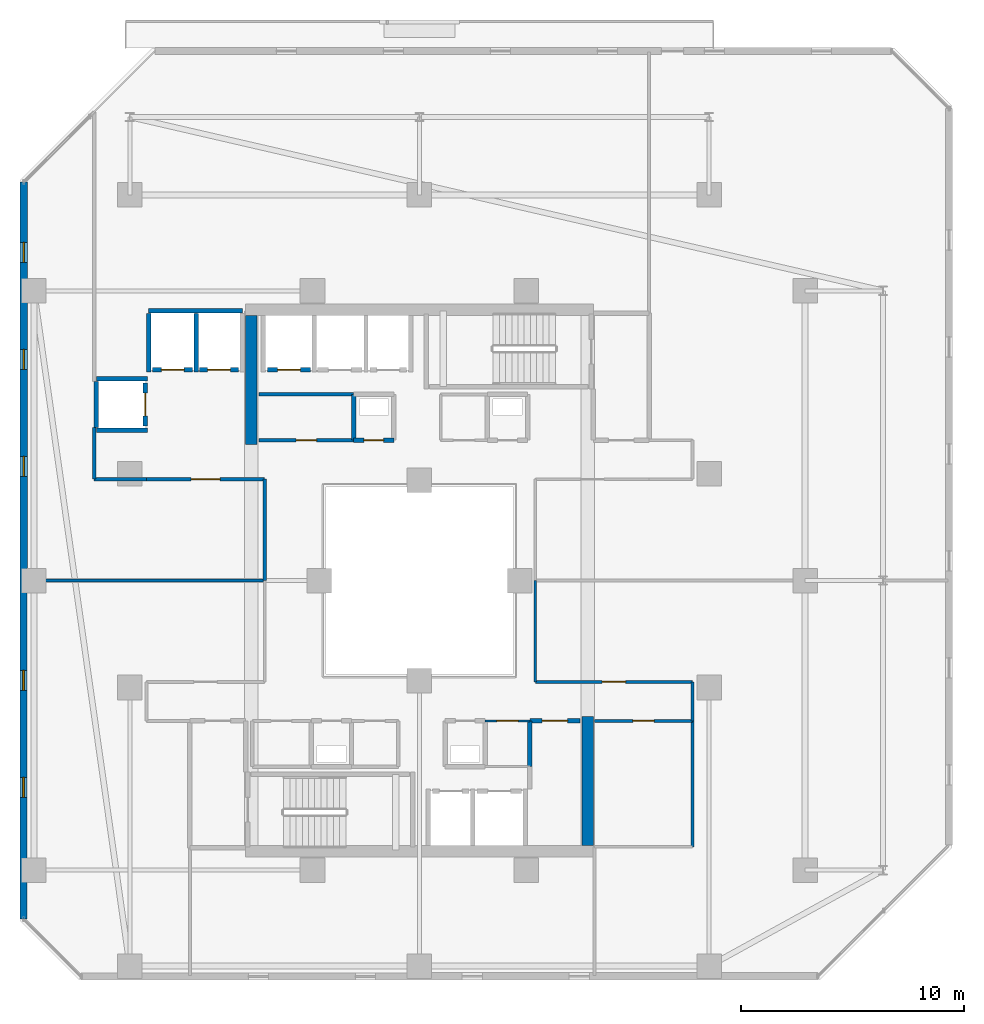
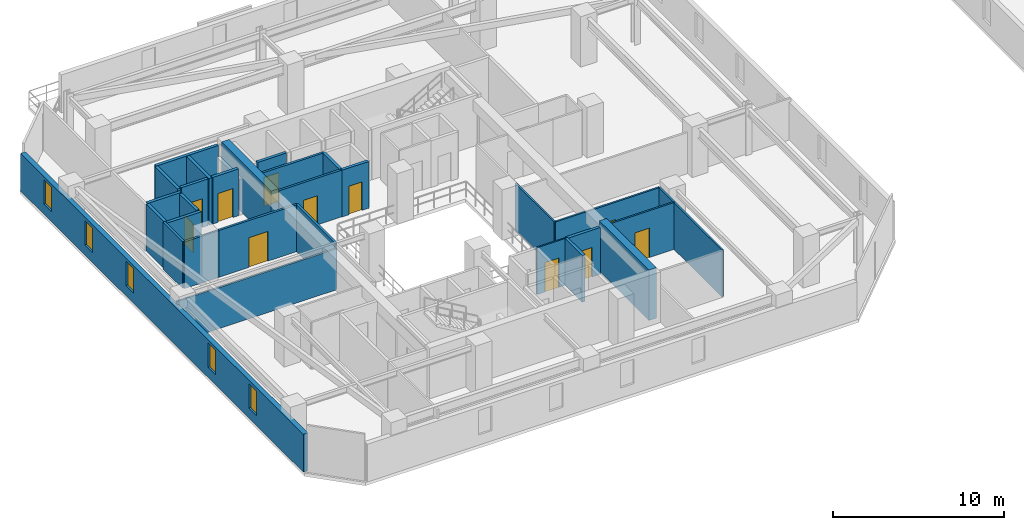
# One storey, part 20 of 32: 30 walls, 11 doors, 5 windows, 16 openings.
"""IFC4 building model written with IfcOpenShell, lengths in metres."""

from ifc_helpers import new_model, si_unit, direction, frame, frame_2d, origin, place, context, subcontext, project, spatial, rectangle, extrude, material, layer, layer_set, type_object, element, fill, save


model = new_model("IFC4")

# Units and contexts
model_context = context("Model", 3, precision=1e-05, world=origin(), true_north=direction((0.0, 1.0)))
body_context = subcontext(model_context, "Body", "Model", "MODEL_VIEW")
ifc_project = project(units=[si_unit("LENGTHUNIT", "METRE"), si_unit("AREAUNIT", "SQUARE_METRE"), si_unit("VOLUMEUNIT", "CUBIC_METRE"), si_unit("PLANEANGLEUNIT", "RADIAN"), si_unit("MASSUNIT", "GRAM", prefix="KILO")], contexts=[model_context])

# Site, building, storey
site_placement = place(None, origin())
site = spatial("IfcSite", under=ifc_project, at=site_placement, CompositionType="ELEMENT")
building_placement = place(site_placement, origin())
building = spatial("IfcBuilding", under=site, at=building_placement, Name="Thornwick Lancets Civic Towers", CompositionType="ELEMENT")
storey_placement = place(building_placement, frame((0.0, 0.0, 178.5)))
storey = spatial("IfcBuildingStorey", under=building, at=storey_placement, Name="L47", CompositionType="ELEMENT", Elevation=178.5)

# Wall, opening, door
ifc_material_1 = material(Name="Concrete blockwork C40/50", Category="masonry")
ifc_layer_1 = layer(ifc_material_1, 0.199951171875, Name="Concrete blockwork C40/50")
ifc_layer_set_1 = layer_set([ifc_layer_1], Name="Concrete blockwork C40/50")
wall_type_1 = type_object("IfcWallType", Name="WALL_COMP_200", PredefinedType="STANDARD", material=ifc_layer_set_1)
wall_1_placement = place(storey_placement, frame((20.6201171875, 36.449951171875, 0.0), z_axis=(0.0, 0.0, 1.0), x_axis=(-1.0, 0.0, 0.0)))
wall_1 = element("IfcWall", 1, at=wall_1_placement, inside=storey, type_object=wall_type_1, Name="L47 Hoistway Front Wall PL-AH3", PredefinedType="STANDARD", context=body_context, shape_type="SweptSolid", body=[
    extrude(rectangle(XDim=1.940185546875, YDim=0.199951171875, at=frame_2d((0.97021484375, 0.0))), origin(), (0.0, 0.0, 1.0), 3.340087890625),
])
opening_1_placement = place(wall_1_placement, frame((0.4599609375, 0.0, 0.0)))
opening_1 = element("IfcOpeningElement", 2, at=opening_1_placement, cuts=wall_1, Name="Opening LD-PL-AH3", PredefinedType="OPENING", context=body_context, shape_type="SweptSolid", body=[
    extrude(rectangle(XDim=1.02001953125, YDim=2.06005859375, at=frame_2d((0.510009765625, 1.030029296875))), frame((0.0, 0.10986328125, 0.0), z_axis=(0.0, -1.0, 0.0), x_axis=(1.0, 0.0, 0.0)), (0.0, 0.0, 1.0), 0.219970703125),
])
ifc_material_2 = material(Name="Brushed bronze stainless steel", Category="steel")
door_type_1 = type_object("IfcDoorType", Name="DOOR_LIFT_SLIDE", OperationType="SLIDING_TO_LEFT", PredefinedType="DOOR", material=ifc_material_2)
door_1_placement = place(opening_1_placement, origin())
door_1 = element("IfcDoor", 3, at=door_1_placement, inside=storey, type_object=door_type_1, Name="L47 Sliding Lift Landing Door LD-PL-AH3", OperationType="SLIDING_TO_LEFT", OverallHeight=2.06005859375, OverallWidth=1.02001953125, PredefinedType="DOOR", context=body_context, shape_type="SweptSolid", body=[
    extrude(rectangle(XDim=1.02001953125, YDim=2.06005859375, at=frame_2d((0.510009765625, 1.030029296875))), frame((0.0, 0.02490234375, 0.0), z_axis=(0.0, -1.0, 0.0), x_axis=(1.0, 0.0, 0.0)), (0.0, 0.0, 1.0), 0.050048828125),
])
fill(opening_1, door_1)

wall_2_placement = place(storey_placement, frame((17.3701171875, 36.449951171875, 0.0), z_axis=(0.0, 0.0, 1.0), x_axis=(-1.0, 0.0, 0.0)))
wall_2 = element("IfcWall", 4, at=wall_2_placement, inside=storey, type_object=wall_type_1, Name="L47 Hoistway Front Wall PL-AM1", PredefinedType="STANDARD", context=body_context, shape_type="SweptSolid", body=[
    extrude(rectangle(XDim=1.740234375, YDim=0.199951171875, at=frame_2d((0.8701171875, 0.0))), origin(), (0.0, 0.0, 1.0), 3.340087890625),
])
opening_2_placement = place(wall_2_placement, frame((0.360107421875, 0.0, 0.0)))
opening_2 = element("IfcOpeningElement", 5, at=opening_2_placement, cuts=wall_2, Name="Opening LD-PL-AM1", PredefinedType="OPENING", context=body_context, shape_type="SweptSolid", body=[
    extrude(rectangle(XDim=1.02001953125, YDim=2.06005859375, at=frame_2d((0.510009765625, 1.030029296875))), frame((0.0, 0.10986328125, 0.0), z_axis=(0.0, -1.0, 0.0), x_axis=(1.0, 0.0, 0.0)), (0.0, 0.0, 1.0), 0.219970703125),
])
door_2_placement = place(opening_2_placement, origin())
door_2 = element("IfcDoor", 6, at=door_2_placement, inside=storey, type_object=door_type_1, Name="L47 Sliding Lift Landing Door LD-PL-AM1", OperationType="SLIDING_TO_LEFT", OverallHeight=2.06005859375, OverallWidth=1.02001953125, PredefinedType="DOOR", context=body_context, shape_type="SweptSolid", body=[
    extrude(rectangle(XDim=1.02001953125, YDim=2.06005859375, at=frame_2d((0.510009765625, 1.030029296875))), frame((0.0, 0.02490234375, 0.0), z_axis=(0.0, -1.0, 0.0), x_axis=(1.0, 0.0, 0.0)), (0.0, 0.0, 1.0), 0.050048828125),
])
fill(opening_2, door_2)

wall_3_placement = place(storey_placement, frame((15.320068359375, 36.449951171875, 0.0), z_axis=(0.0, 0.0, 1.0), x_axis=(-1.0, 0.0, 0.0)))
wall_3 = element("IfcWall", 7, at=wall_3_placement, inside=storey, type_object=wall_type_1, Name="L47 Hoistway Front Wall PL-AM2", PredefinedType="STANDARD", context=body_context, shape_type="SweptSolid", body=[
    extrude(rectangle(XDim=1.7900390625, YDim=0.199951171875, at=frame_2d((0.89501953125, 0.0))), origin(), (0.0, 0.0, 1.0), 3.340087890625),
])
opening_3_placement = place(wall_3_placement, frame((0.385009765625, 0.0, 0.0)))
opening_3 = element("IfcOpeningElement", 8, at=opening_3_placement, cuts=wall_3, Name="Opening LD-PL-AM2", PredefinedType="OPENING", context=body_context, shape_type="SweptSolid", body=[
    extrude(rectangle(XDim=1.02001953125, YDim=2.06005859375, at=frame_2d((0.510009765625, 1.030029296875))), frame((0.0, 0.10986328125, 0.0), z_axis=(0.0, -1.0, 0.0), x_axis=(1.0, 0.0, 0.0)), (0.0, 0.0, 1.0), 0.219970703125),
])
door_3_placement = place(opening_3_placement, origin())
door_3 = element("IfcDoor", 9, at=door_3_placement, inside=storey, type_object=door_type_1, Name="L47 Sliding Lift Landing Door LD-PL-AM2", OperationType="SLIDING_TO_LEFT", OverallHeight=2.06005859375, OverallWidth=1.02001953125, PredefinedType="DOOR", context=body_context, shape_type="SweptSolid", body=[
    extrude(rectangle(XDim=1.02001953125, YDim=2.06005859375, at=frame_2d((0.510009765625, 1.030029296875))), frame((0.0, 0.02490234375, 0.0), z_axis=(0.0, -1.0, 0.0), x_axis=(1.0, 0.0, 0.0)), (0.0, 0.0, 1.0), 0.050048828125),
])
fill(opening_3, door_3)

wall_4_placement = place(storey_placement, frame((13.199951171875, 33.929931640625, 0.0), z_axis=(0.0, 0.0, 1.0), x_axis=(0.0, 1.0, 0.0)))
wall_4 = element("IfcWall", 10, at=wall_4_placement, inside=storey, type_object=wall_type_1, Name="L47 Hoistway Front Wall PL-AM3", PredefinedType="STANDARD", context=body_context, shape_type="SweptSolid", body=[
    extrude(rectangle(XDim=1.940185546875, YDim=0.199951171875, at=frame_2d((0.97021484375, 0.0))), origin(), (0.0, 0.0, 1.0), 3.340087890625),
])
opening_4_placement = place(wall_4_placement, frame((0.4599609375, 0.0, 0.0)))
opening_4 = element("IfcOpeningElement", 11, at=opening_4_placement, cuts=wall_4, Name="Opening LD-PL-AM3", PredefinedType="OPENING", context=body_context, shape_type="SweptSolid", body=[
    extrude(rectangle(XDim=1.02001953125, YDim=2.06005859375, at=frame_2d((0.510009765625, 1.030029296875))), frame((0.0, 0.10986328125, 0.0), z_axis=(0.0, -1.0, 0.0), x_axis=(1.0, 0.0, 0.0)), (0.0, 0.0, 1.0), 0.219970703125),
])
door_4_placement = place(opening_4_placement, origin())
door_4 = element("IfcDoor", 12, at=door_4_placement, inside=storey, type_object=door_type_1, Name="L47 Sliding Lift Landing Door LD-PL-AM3", OperationType="SLIDING_TO_LEFT", OverallHeight=2.06005859375, OverallWidth=1.02001953125, PredefinedType="DOOR", context=body_context, shape_type="SweptSolid", body=[
    extrude(rectangle(XDim=1.02001953125, YDim=2.06005859375, at=frame_2d((0.510009765625, 1.030029296875))), frame((0.0, 0.02490234375, 0.0), z_axis=(0.0, -1.0, 0.0), x_axis=(1.0, 0.0, 0.0)), (0.0, 0.0, 1.0), 0.050048828125),
])
fill(opening_4, door_4)

# Walls
wall_5_placement = place(storey_placement, frame((13.35205078125, 39.10009765625, 0.0), z_axis=(0.0, 0.0, 1.0), x_axis=(1.0, 0.0, 0.0)))
element("IfcWall", 13, at=wall_5_placement, inside=storey, type_object=wall_type_1, Name="L47 Hoistway Shaft Wall PL-AM1 N", PredefinedType="STANDARD", context=body_context, shape_type="SweptSolid", body=[
    extrude(rectangle(XDim=4.196044921875, YDim=0.199951171875, at=frame_2d((2.09814453125, 0.0))), origin(), (0.0, 0.0, 1.0), 3.340087890625),
])
for number, where, z_axis, x_axis, name in (
    (14, (15.47509765625, 36.35205078125, 0.0), (0.0, 0.0, 1.0), (0.0, 1.0, 0.0), "L47 Hoistway Shaft Wall PL-AM1 W"),
    (15, (13.35009765625, 36.35205078125, 0.0), (0.0, 0.0, 1.0), (0.0, 1.0, 0.0), "L47 Hoistway Shaft Wall PL-AM2 W"),
):
    element("IfcWall", number, at=place(storey_placement, frame(where, z_axis=z_axis, x_axis=x_axis)), inside=storey, type_object=wall_type_1, Name=name, PredefinedType="STANDARD", context=body_context, shape_type="SweptSolid", body=[
        extrude(rectangle(XDim=2.635986328125, YDim=0.199951171875, at=frame_2d((1.31787109375, 0.0))), origin(), (0.0, 0.0, 1.0), 3.340087890625),
    ])
for number, where, z_axis, x_axis, name in (
    (16, (11.001953125, 36.050048828125, 0.0), (0.0, 0.0, 1.0), (1.0, 0.0, 0.0), "L47 Hoistway Shaft Wall PL-AM3 N"),
    (17, (11.001953125, 33.75, 0.0), (0.0, 0.0, 1.0), (1.0, 0.0, 0.0), "L47 Hoistway Shaft Wall PL-AM3 S"),
):
    element("IfcWall", number, at=place(storey_placement, frame(where, z_axis=z_axis, x_axis=x_axis)), inside=storey, type_object=wall_type_1, Name=name, PredefinedType="STANDARD", context=body_context, shape_type="SweptSolid", body=[
        extrude(rectangle(XDim=2.296142578125, YDim=0.199951171875, at=frame_2d((1.14794921875, 0.0))), origin(), (0.0, 0.0, 1.0), 3.340087890625),
    ])
wall_6_placement = place(storey_placement, frame((11.0, 33.862060546875, 0.0), z_axis=(0.0, 0.0, 1.0), x_axis=(0.0, 1.0, 0.0)))
element("IfcWall", 18, at=wall_6_placement, inside=storey, type_object=wall_type_1, Name="L47 Hoistway Shaft Wall PL-AM3 W", PredefinedType="STANDARD", context=body_context, shape_type="SweptSolid", body=[
    extrude(rectangle(XDim=2.075927734375, YDim=0.199951171875, at=frame_2d((1.0380859375, 0.0))), origin(), (0.0, 0.0, 1.0), 3.340087890625),
])

# Wall, opening, door
wall_7_placement = place(storey_placement, frame((22.550048828125, 33.300048828125, 0.0), z_axis=(0.0, 0.0, 1.0), x_axis=(1.0, 0.0, 0.0)))
wall_7 = element("IfcWall", 19, at=wall_7_placement, inside=storey, type_object=wall_type_1, Name="L47 Partition L47-A-DUCT2 E1", PredefinedType="STANDARD", context=body_context, shape_type="SweptSolid", body=[
    extrude(rectangle(XDim=1.800048828125, YDim=0.199951171875, at=frame_2d((0.89990234375, 0.0))), origin(), (0.0, 0.0, 1.0), 3.340087890625),
])
opening_5_placement = place(wall_7_placement, frame((0.4599609375, 0.0, 0.0)))
opening_5 = element("IfcOpeningElement", 20, at=opening_5_placement, cuts=wall_7, Name="Opening D-L47-2091", PredefinedType="OPENING", context=body_context, shape_type="SweptSolid", body=[
    extrude(rectangle(XDim=0.8798828125, YDim=2.0400390625, at=frame_2d((0.43994140625, 1.02001953125))), frame((0.0, 0.10986328125, 0.0), z_axis=(0.0, -1.0, 0.0), x_axis=(1.0, 0.0, 0.0)), (0.0, 0.0, 1.0), 0.219970703125),
])
ifc_material_3 = material(Name="Steel riser access doorset", Category="steel")
door_type_2 = type_object("IfcDoorType", Name="DOOR_RISER_850", OperationType="NOTDEFINED", PredefinedType="DOOR", material=ifc_material_3)
door_5_placement = place(opening_5_placement, origin())
door_5 = element("IfcDoor", 21, at=door_5_placement, inside=storey, type_object=door_type_2, Name="L47 North Service Duct 2 Door", OperationType="SINGLE_SWING_RIGHT", OverallHeight=2.0400390625, OverallWidth=0.8798828125, PredefinedType="DOOR", context=body_context, shape_type="SweptSolid", body=[
    extrude(rectangle(XDim=0.8798828125, YDim=2.0400390625, at=frame_2d((0.43994140625, 1.02001953125))), frame((0.0, 0.02490234375, 0.0), z_axis=(0.0, -1.0, 0.0), x_axis=(1.0, 0.0, 0.0)), (0.0, 0.0, 1.0), 0.050048828125),
])
fill(opening_5, door_5)

# Walls
for number, where, z_axis, x_axis, name in (
    (22, (22.550048828125, 35.35009765625, 0.0), (0.0, 0.0, 1.0), (0.0, -1.0, 0.0), "L47 Partition L47-A-DUCT2 E4"),
    (23, (30.449951171875, 18.64990234375, 0.0), (0.0, 0.0, 1.0), (0.0, 1.0, 0.0), "L47 Partition L47-A-ITR2 E4"),
):
    element("IfcWall", number, at=place(storey_placement, frame(where, z_axis=z_axis, x_axis=x_axis)), inside=storey, type_object=wall_type_1, Name=name, PredefinedType="STANDARD", context=body_context, shape_type="SweptSolid", body=[
        extrude(rectangle(XDim=2.050048828125, YDim=0.199951171875, at=frame_2d((1.02490234375, 0.0))), origin(), (0.0, 0.0, 1.0), 3.340087890625),
    ])

# Wall, opening, door
wall_8_placement = place(storey_placement, frame((30.449951171875, 20.699951171875, 0.0), z_axis=(0.0, 0.0, 1.0), x_axis=(1.0, 0.0, 0.0)))
wall_8 = element("IfcWall", 24, at=wall_8_placement, inside=storey, type_object=wall_type_1, Name="L47 Partition L47-A-ITR2 E5", PredefinedType="STANDARD", context=body_context, shape_type="SweptSolid", body=[
    extrude(rectangle(XDim=2.25, YDim=0.199951171875, at=frame_2d((1.125, 0.0))), origin(), (0.0, 0.0, 1.0), 3.340087890625),
])
opening_6_placement = place(wall_8_placement, frame((0.550048828125, 0.0, 0.0)))
opening_6 = element("IfcOpeningElement", 25, at=opening_6_placement, cuts=wall_8, Name="Opening D-L47-2096", PredefinedType="OPENING", context=body_context, shape_type="SweptSolid", body=[
    extrude(rectangle(XDim=1.14990234375, YDim=2.10009765625, at=frame_2d((0.574951171875, 1.050048828125))), frame((0.0, 0.10986328125, 0.0), z_axis=(0.0, -1.0, 0.0), x_axis=(1.0, 0.0, 0.0)), (0.0, 0.0, 1.0), 0.219970703125),
])
ifc_material_4 = material(Name="Glazed fire-resisting steel", Category="steel")
door_type_3 = type_object("IfcDoorType", Name="DOOR_LOBBY_FD60", OperationType="NOTDEFINED", PredefinedType="DOOR", material=ifc_material_4)
door_6_placement = place(opening_6_placement, origin())
door_6 = element("IfcDoor", 26, at=door_6_placement, inside=storey, type_object=door_type_3, Name="L47 Tower A Statutory Core Archive Door", OperationType="SINGLE_SWING_LEFT", OverallHeight=2.10009765625, OverallWidth=1.14990234375, PredefinedType="DOOR", context=body_context, shape_type="SweptSolid", body=[
    extrude(rectangle(XDim=1.14990234375, YDim=2.10009765625, at=frame_2d((0.574951171875, 1.050048828125))), frame((0.0, 0.02490234375, 0.0), z_axis=(0.0, -1.0, 0.0), x_axis=(1.0, 0.0, 0.0)), (0.0, 0.0, 1.0), 0.050048828125),
])
fill(opening_6, door_6)

# Walls
ifc_material_5 = material(Name="Concrete C50/60", Category="concrete")
ifc_layer_2 = layer(ifc_material_5, 0.5, Name="Concrete C50/60")
ifc_layer_set_2 = layer_set([ifc_layer_2], Name="Concrete C50/60")
wall_type_2 = type_object("IfcWallType", Name="WALL_CORE_500", PredefinedType="SHEAR", material=ifc_layer_set_2)
for number, where, z_axis, x_axis, name in (
    (27, (33.050048828125, 15.10009765625, 0.0), (0.0, 0.0, 1.0), (0.0, 1.0, 0.0), "L47 Split Core A1 Shear Wall E"),
    (28, (17.949951171875, 33.10009765625, 0.0), (0.0, 0.0, 1.0), (0.0, 1.0, 0.0), "L47 Split Core A2 Shear Wall W"),
):
    element("IfcWall", number, at=place(storey_placement, frame(where, z_axis=z_axis, x_axis=x_axis)), inside=storey, type_object=wall_type_2, Name=name, PredefinedType="SHEAR", context=body_context, shape_type="SweptSolid", body=[
        extrude(rectangle(XDim=5.7998046875, YDim=0.5, at=frame_2d((2.89990234375, 0.0))), origin(), (0.0, 0.0, 1.0), 3.60009765625),
    ])

# Wall, openings, windows
ifc_material_6 = material(Name="Insulated buff terracotta rainscreen on concrete C40/50", Category="masonry")
ifc_layer_3 = layer(ifc_material_6, 0.320068359375, Name="Insulated buff terracotta rainscreen on concrete C40/50")
ifc_layer_set_3 = layer_set([ifc_layer_3], Name="Insulated buff terracotta rainscreen on concrete C40/50")
wall_type_3 = type_object("IfcWallType", Name="WALL_EXT_TERRA_320", PredefinedType="STANDARD", material=ifc_layer_set_3)
wall_9_placement = place(storey_placement, frame((7.746337890625, 44.872314453125, 0.0), z_axis=(0.0, 0.0, 1.0), x_axis=(-0.000332378036, -0.999999944762, 0.0)))
wall_9 = element("IfcWall", 29, at=wall_9_placement, inside=storey, type_object=wall_type_3, Name="L47 Tower A Terracotta Facade Wall E6", PredefinedType="STANDARD", context=body_context, shape_type="SweptSolid", body=[
    extrude(rectangle(XDim=33.0537109375, YDim=0.320068359375, at=frame_2d((16.52685546875, 0.0))), origin(), (0.0, 0.0, 1.0), 2.699951171875),
])
opening_7_placement = place(wall_9_placement, frame((2.699951171875, 0.0, 0.719970703125)))
opening_7 = element("IfcOpeningElement", 30, at=opening_7_placement, cuts=wall_9, Name="Opening WL-01", PredefinedType="OPENING", context=body_context, shape_type="SweptSolid", body=[
    extrude(rectangle(XDim=0.89990234375, YDim=1.75, at=frame_2d((0.449951171875, 0.875))), frame((0.0, 0.169921875, 0.0), z_axis=(0.0, -1.0, 0.0), x_axis=(1.0, 0.0, 0.0)), (0.0, 0.0, 1.0), 0.340087890625),
])
opening_8_placement = place(wall_9_placement, frame((7.5, 0.0, 0.719970703125)))
opening_8 = element("IfcOpeningElement", 31, at=opening_8_placement, cuts=wall_9, Name="Opening WL-01", PredefinedType="OPENING", context=body_context, shape_type="SweptSolid", body=[
    extrude(rectangle(XDim=0.89990234375, YDim=1.75, at=frame_2d((0.449951171875, 0.875))), frame((0.0, 0.169921875, 0.0), z_axis=(0.0, -1.0, 0.0), x_axis=(1.0, 0.0, 0.0)), (0.0, 0.0, 1.0), 0.340087890625),
])
opening_9_placement = place(wall_9_placement, frame((12.300048828125, 0.0, 0.719970703125)))
opening_9 = element("IfcOpeningElement", 32, at=opening_9_placement, cuts=wall_9, Name="Opening WL-01", PredefinedType="OPENING", context=body_context, shape_type="SweptSolid", body=[
    extrude(rectangle(XDim=0.89990234375, YDim=1.75, at=frame_2d((0.449951171875, 0.875))), frame((0.0, 0.169921875, 0.0), z_axis=(0.0, -1.0, 0.0), x_axis=(1.0, 0.0, 0.0)), (0.0, 0.0, 1.0), 0.340087890625),
])
opening_10_placement = place(wall_9_placement, frame((21.89990234375, 0.0, 0.719970703125)))
opening_10 = element("IfcOpeningElement", 33, at=opening_10_placement, cuts=wall_9, Name="Opening WL-01", PredefinedType="OPENING", context=body_context, shape_type="SweptSolid", body=[
    extrude(rectangle(XDim=0.89990234375, YDim=1.75, at=frame_2d((0.449951171875, 0.875))), frame((0.0, 0.169921875, 0.0), z_axis=(0.0, -1.0, 0.0), x_axis=(1.0, 0.0, 0.0)), (0.0, 0.0, 1.0), 0.340087890625),
])
opening_11_placement = place(wall_9_placement, frame((26.699951171875, 0.0, 0.719970703125)))
opening_11 = element("IfcOpeningElement", 34, at=opening_11_placement, cuts=wall_9, Name="Opening WL-01", PredefinedType="OPENING", context=body_context, shape_type="SweptSolid", body=[
    extrude(rectangle(XDim=0.89990234375, YDim=1.75, at=frame_2d((0.449951171875, 0.875))), frame((0.0, 0.169921875, 0.0), z_axis=(0.0, -1.0, 0.0), x_axis=(1.0, 0.0, 0.0)), (0.0, 0.0, 1.0), 0.340087890625),
])
ifc_material_7 = material(Name="Clear low-e double glazing in bronze frame", Category="glass")
window_type = type_object("IfcWindowType", Name="WIN_LANCET_900", PartitioningType="SINGLE_PANEL", PredefinedType="WINDOW", material=ifc_material_7)
window_1_placement = place(opening_7_placement, origin())
window_1 = element("IfcWindow", 35, at=window_1_placement, inside=storey, type_object=window_type, Name="L47 Tower A Staggered Lancet Window E6-1", OverallHeight=1.75, OverallWidth=0.89990234375, PartitioningType="SINGLE_PANEL", PredefinedType="WINDOW", context=body_context, shape_type="SweptSolid", body=[
    extrude(rectangle(XDim=0.89990234375, YDim=1.75, at=frame_2d((0.449951171875, 0.875))), frame((0.0, 0.030029296875, 0.0), z_axis=(0.0, -1.0, 0.0), x_axis=(1.0, 0.0, 0.0)), (0.0, 0.0, 1.0), 0.06005859375),
])
fill(opening_7, window_1)
window_2_placement = place(opening_8_placement, origin())
window_2 = element("IfcWindow", 36, at=window_2_placement, inside=storey, type_object=window_type, Name="L47 Tower A Staggered Lancet Window E6-2", OverallHeight=1.75, OverallWidth=0.89990234375, PartitioningType="SINGLE_PANEL", PredefinedType="WINDOW", context=body_context, shape_type="SweptSolid", body=[
    extrude(rectangle(XDim=0.89990234375, YDim=1.75, at=frame_2d((0.449951171875, 0.875))), frame((0.0, 0.030029296875, 0.0), z_axis=(0.0, -1.0, 0.0), x_axis=(1.0, 0.0, 0.0)), (0.0, 0.0, 1.0), 0.06005859375),
])
fill(opening_8, window_2)
window_3_placement = place(opening_9_placement, origin())
window_3 = element("IfcWindow", 37, at=window_3_placement, inside=storey, type_object=window_type, Name="L47 Tower A Staggered Lancet Window E6-3", OverallHeight=1.75, OverallWidth=0.89990234375, PartitioningType="SINGLE_PANEL", PredefinedType="WINDOW", context=body_context, shape_type="SweptSolid", body=[
    extrude(rectangle(XDim=0.89990234375, YDim=1.75, at=frame_2d((0.449951171875, 0.875))), frame((0.0, 0.030029296875, 0.0), z_axis=(0.0, -1.0, 0.0), x_axis=(1.0, 0.0, 0.0)), (0.0, 0.0, 1.0), 0.06005859375),
])
fill(opening_9, window_3)
window_4_placement = place(opening_10_placement, origin())
window_4 = element("IfcWindow", 38, at=window_4_placement, inside=storey, type_object=window_type, Name="L47 Tower A Staggered Lancet Window E6-4", OverallHeight=1.75, OverallWidth=0.89990234375, PartitioningType="SINGLE_PANEL", PredefinedType="WINDOW", context=body_context, shape_type="SweptSolid", body=[
    extrude(rectangle(XDim=0.89990234375, YDim=1.75, at=frame_2d((0.449951171875, 0.875))), frame((0.0, 0.030029296875, 0.0), z_axis=(0.0, -1.0, 0.0), x_axis=(1.0, 0.0, 0.0)), (0.0, 0.0, 1.0), 0.06005859375),
])
fill(opening_10, window_4)
window_5_placement = place(opening_11_placement, origin())
window_5 = element("IfcWindow", 39, at=window_5_placement, inside=storey, type_object=window_type, Name="L47 Tower A Staggered Lancet Window E6-5", OverallHeight=1.75, OverallWidth=0.89990234375, PartitioningType="SINGLE_PANEL", PredefinedType="WINDOW", context=body_context, shape_type="SweptSolid", body=[
    extrude(rectangle(XDim=0.89990234375, YDim=1.75, at=frame_2d((0.449951171875, 0.875))), frame((0.0, 0.030029296875, 0.0), z_axis=(0.0, -1.0, 0.0), x_axis=(1.0, 0.0, 0.0)), (0.0, 0.0, 1.0), 0.06005859375),
])
fill(opening_11, window_5)

# Wall, opening, door
ifc_material_8 = material(Name="Lightweight cellular office partition")
ifc_layer_4 = layer(ifc_material_8, 0.10009765625, Name="Lightweight cellular office partition")
ifc_layer_set_4 = layer_set([ifc_layer_4], Name="Lightweight cellular office partition")
wall_type_4 = type_object("IfcWallType", Name="WALL_PART_100", PredefinedType="PARTITIONING", material=ifc_layer_set_4)
wall_10_placement = place(storey_placement, frame((28.449951171875, 20.699951171875, 0.0), z_axis=(0.0, 0.0, 1.0), x_axis=(1.0, 0.0, 0.0)))
wall_10 = element("IfcWall", 40, at=wall_10_placement, inside=storey, type_object=wall_type_4, Name="L47 Partition L47-A-CLN E4", PredefinedType="PARTITIONING", context=body_context, shape_type="SweptSolid", body=[
    extrude(rectangle(XDim=2.0, YDim=0.10009765625, at=frame_2d((1.0, 0.0))), origin(), (0.0, 0.0, 1.0), 3.340087890625),
])
opening_12_placement = place(wall_10_placement, frame((0.52490234375, 0.0, 0.0)))
opening_12 = element("IfcOpeningElement", 41, at=opening_12_placement, cuts=wall_10, Name="Opening D-L47-2095", PredefinedType="OPENING", context=body_context, shape_type="SweptSolid", body=[
    extrude(rectangle(XDim=0.949951171875, YDim=2.10009765625, at=frame_2d((0.47509765625, 1.050048828125))), frame((0.0, 0.06005859375, 0.0), z_axis=(0.0, -1.0, 0.0), x_axis=(1.0, 0.0, 0.0)), (0.0, 0.0, 1.0), 0.1201171875),
])
ifc_material_9 = material(Name="European oak acoustic doorset")
door_type_4 = type_object("IfcDoorType", Name="DOOR_OFFICE_950", OperationType="NOTDEFINED", PredefinedType="DOOR", material=ifc_material_9)
door_7_placement = place(opening_12_placement, origin())
door_7 = element("IfcDoor", 42, at=door_7_placement, inside=storey, type_object=door_type_4, Name="L47 Tower A Cleaners Store Door", OperationType="SINGLE_SWING_RIGHT", OverallHeight=2.10009765625, OverallWidth=0.949951171875, PredefinedType="DOOR", context=body_context, shape_type="SweptSolid", body=[
    extrude(rectangle(XDim=0.949951171875, YDim=2.10009765625, at=frame_2d((0.47509765625, 1.050048828125))), frame((0.0, 0.02490234375, 0.0), z_axis=(0.0, -1.0, 0.0), x_axis=(1.0, 0.0, 0.0)), (0.0, 0.0, 1.0), 0.050048828125),
])
fill(opening_12, door_7)

ifc_material_10 = material(Name="Acoustic gypsum board partition")
ifc_layer_5 = layer(ifc_material_10, 0.1201171875, Name="Acoustic gypsum board partition")
ifc_layer_set_5 = layer_set([ifc_layer_5], Name="Acoustic gypsum board partition")
wall_type_5 = type_object("IfcWallType", Name="WALL_PART_120", PredefinedType="PARTITIONING", material=ifc_layer_set_5)
wall_11_placement = place(storey_placement, frame((33.35009765625, 20.699951171875, 0.0), z_axis=(0.0, 0.0, 1.0), x_axis=(1.0, 0.0, 0.0)))
wall_11 = element("IfcWall", 43, at=wall_11_placement, inside=storey, type_object=wall_type_5, Name="L47 Partition L47-A-RECLAIM-L1 E3", PredefinedType="PARTITIONING", context=body_context, shape_type="SweptSolid", body=[
    extrude(rectangle(XDim=4.39990234375, YDim=0.1201171875, at=frame_2d((2.199951171875, 0.0))), origin(), (0.0, 0.0, 1.0), 3.340087890625),
])
opening_13_placement = place(wall_11_placement, frame((1.72509765625, 0.0, 0.0)))
opening_13 = element("IfcOpeningElement", 44, at=opening_13_placement, cuts=wall_11, Name="Opening D-L47-2111", PredefinedType="OPENING", context=body_context, shape_type="SweptSolid", body=[
    extrude(rectangle(XDim=0.949951171875, YDim=2.10009765625, at=frame_2d((0.47509765625, 1.050048828125))), frame((0.0, 0.070068359375, 0.0), z_axis=(0.0, -1.0, 0.0), x_axis=(1.0, 0.0, 0.0)), (0.0, 0.0, 1.0), 0.14013671875),
])
door_8_placement = place(opening_13_placement, origin())
door_8 = element("IfcDoor", 45, at=door_8_placement, inside=storey, type_object=door_type_4, Name="L47 Tower A Policy Archive and Library Door", OperationType="SINGLE_SWING_RIGHT", OverallHeight=2.10009765625, OverallWidth=0.949951171875, PredefinedType="DOOR", context=body_context, shape_type="SweptSolid", body=[
    extrude(rectangle(XDim=0.949951171875, YDim=2.10009765625, at=frame_2d((0.47509765625, 1.050048828125))), frame((0.0, 0.02490234375, 0.0), z_axis=(0.0, -1.0, 0.0), x_axis=(1.0, 0.0, 0.0)), (0.0, 0.0, 1.0), 0.050048828125),
])
fill(opening_13, door_8)

# Walls
wall_12_placement = place(storey_placement, frame((37.75, 20.699951171875, 0.0), z_axis=(0.0, 0.0, 1.0), x_axis=(0.0, -1.0, 0.0)))
element("IfcWall", 46, at=wall_12_placement, inside=storey, type_object=wall_type_5, Name="L47 Partition L47-A-RECLAIM-L1 E4", PredefinedType="PARTITIONING", context=body_context, shape_type="SweptSolid", body=[
    extrude(rectangle(XDim=5.64990234375, YDim=0.1201171875, at=frame_2d((2.824951171875, 0.0))), origin(), (0.0, 0.0, 1.0), 3.340087890625),
])
wall_13_placement = place(storey_placement, frame((7.780029296875, 27.0, 0.0), z_axis=(0.0, 0.0, 1.0), x_axis=(1.0, 0.0, 0.0)))
element("IfcWall", 47, at=wall_13_placement, inside=storey, type_object=wall_type_5, Name="L47 Partition L47-A-W1 E2", PredefinedType="PARTITIONING", context=body_context, shape_type="SweptSolid", body=[
    extrude(rectangle(XDim=10.77001953125, YDim=0.1201171875, at=frame_2d((5.385009765625, 0.0))), origin(), (0.0, 0.0, 1.0), 2.93212890625),
])
wall_14_placement = place(storey_placement, frame((37.75, 20.699951171875, 0.0), z_axis=(0.0, 0.0, 1.0), x_axis=(0.0, 1.0, 0.0)))
element("IfcWall", 48, at=wall_14_placement, inside=storey, type_object=wall_type_5, Name="L47 Partition L47-A-E1 E3", PredefinedType="PARTITIONING", context=body_context, shape_type="SweptSolid", body=[
    extrude(rectangle(XDim=1.75, YDim=0.1201171875, at=frame_2d((0.875, 0.0))), origin(), (0.0, 0.0, 1.0), 3.340087890625),
])

# Wall, opening, door
wall_15_placement = place(storey_placement, frame((37.75, 22.449951171875, 0.0), z_axis=(0.0, 0.0, 1.0), x_axis=(-1.0, 0.0, 0.0)))
wall_15 = element("IfcWall", 49, at=wall_15_placement, inside=storey, type_object=wall_type_5, Name="L47 Partition L47-A-E1 E4", PredefinedType="PARTITIONING", context=body_context, shape_type="SweptSolid", body=[
    extrude(rectangle(XDim=7.050048828125, YDim=0.1201171875, at=frame_2d((3.52490234375, 0.0))), origin(), (0.0, 0.0, 1.0), 3.340087890625),
])
opening_14_placement = place(wall_15_placement, frame((3.0, 0.0, 0.0)))
opening_14 = element("IfcOpeningElement", 50, at=opening_14_placement, cuts=wall_15, Name="Opening D-L47-2114", PredefinedType="OPENING", context=body_context, shape_type="SweptSolid", body=[
    extrude(rectangle(XDim=1.050048828125, YDim=2.10009765625, at=frame_2d((0.52490234375, 1.050048828125))), frame((0.0, 0.070068359375, 0.0), z_axis=(0.0, -1.0, 0.0), x_axis=(1.0, 0.0, 0.0)), (0.0, 0.0, 1.0), 0.14013671875),
])
ifc_material_11 = material(Name="Glazed European oak executive doorset")
door_type_5 = type_object("IfcDoorType", Name="DOOR_OFFICE_1050", OperationType="NOTDEFINED", PredefinedType="DOOR", material=ifc_material_11)
door_9_placement = place(opening_14_placement, origin())
door_9 = element("IfcDoor", 51, at=door_9_placement, inside=storey, type_object=door_type_5, Name="L47 Tower A Secretariat Open Office E1 Door", OperationType="SINGLE_SWING_LEFT", OverallHeight=2.10009765625, OverallWidth=1.050048828125, PredefinedType="DOOR", context=body_context, shape_type="SweptSolid", body=[
    extrude(rectangle(XDim=1.050048828125, YDim=2.10009765625, at=frame_2d((0.52490234375, 1.050048828125))), frame((0.0, 0.02490234375, 0.0), z_axis=(0.0, -1.0, 0.0), x_axis=(1.0, 0.0, 0.0)), (0.0, 0.0, 1.0), 0.050048828125),
])
fill(opening_14, door_9)

# Walls
wall_16_placement = place(storey_placement, frame((30.699951171875, 22.449951171875, 0.0), z_axis=(0.0, 0.0, 1.0), x_axis=(0.0, 1.0, 0.0)))
element("IfcWall", 52, at=wall_16_placement, inside=storey, type_object=wall_type_5, Name="L47 Partition L47-A-E1 E5", PredefinedType="PARTITIONING", context=body_context, shape_type="SweptSolid", body=[
    extrude(rectangle(XDim=4.550048828125, YDim=0.1201171875, at=frame_2d((2.27490234375, 0.0))), origin(), (0.0, 0.0, 1.0), 3.340087890625),
])
ifc_material_12 = material(Name="Twin-stud acoustic gypsum board")
ifc_layer_6 = layer(ifc_material_12, 0.14990234375, Name="Twin-stud acoustic gypsum board")
ifc_layer_set_6 = layer_set([ifc_layer_6], Name="Twin-stud acoustic gypsum board")
wall_type_6 = type_object("IfcWallType", Name="WALL_PART_150", PredefinedType="PARTITIONING", material=ifc_layer_set_6)
wall_17_placement = place(storey_placement, frame((18.300048828125, 35.35009765625, 0.0), z_axis=(0.0, 0.0, 1.0), x_axis=(1.0, 0.0, 0.0)))
element("IfcWall", 53, at=wall_17_placement, inside=storey, type_object=wall_type_6, Name="L47 Partition L47-A-FWC E2", PredefinedType="PARTITIONING", context=body_context, shape_type="SweptSolid", body=[
    extrude(rectangle(XDim=4.25, YDim=0.14990234375, at=frame_2d((2.125, 0.0))), origin(), (0.0, 0.0, 1.0), 3.340087890625),
])

# Wall, opening, door
wall_18_placement = place(storey_placement, frame((22.550048828125, 33.300048828125, 0.0), z_axis=(0.0, 0.0, 1.0), x_axis=(-1.0, 0.0, 0.0)))
wall_18 = element("IfcWall", 54, at=wall_18_placement, inside=storey, type_object=wall_type_6, Name="L47 Partition L47-A-FWC E4", PredefinedType="PARTITIONING", context=body_context, shape_type="SweptSolid", body=[
    extrude(rectangle(XDim=4.25, YDim=0.14990234375, at=frame_2d((2.125, 0.0))), origin(), (0.0, 0.0, 1.0), 3.340087890625),
])
opening_15_placement = place(wall_18_placement, frame((1.6650390625, 0.0, 0.0)))
opening_15 = element("IfcOpeningElement", 55, at=opening_15_placement, cuts=wall_18, Name="Opening D-L47-2097", PredefinedType="OPENING", context=body_context, shape_type="SweptSolid", body=[
    extrude(rectangle(XDim=0.919921875, YDim=2.080078125, at=frame_2d((0.4599609375, 1.0400390625))), frame((0.0, 0.0849609375, 0.0), z_axis=(0.0, -1.0, 0.0), x_axis=(1.0, 0.0, 0.0)), (0.0, 0.0, 1.0), 0.169921875),
])
ifc_material_13 = material(Name="Moisture-resistant oak doorset")
door_type_6 = type_object("IfcDoorType", Name="DOOR_WC_900", OperationType="NOTDEFINED", PredefinedType="DOOR", material=ifc_material_13)
door_10_placement = place(opening_15_placement, origin())
door_10 = element("IfcDoor", 56, at=door_10_placement, inside=storey, type_object=door_type_6, Name="L47 Tower A Female WC Door", OperationType="SINGLE_SWING_RIGHT", OverallHeight=2.080078125, OverallWidth=0.919921875, PredefinedType="DOOR", context=body_context, shape_type="SweptSolid", body=[
    extrude(rectangle(XDim=0.919921875, YDim=2.080078125, at=frame_2d((0.4599609375, 1.0400390625))), frame((0.0, 0.02490234375, 0.0), z_axis=(0.0, -1.0, 0.0), x_axis=(1.0, 0.0, 0.0)), (0.0, 0.0, 1.0), 0.050048828125),
])
fill(opening_15, door_10)

wall_19_placement = place(storey_placement, frame((13.25, 31.550048828125, 0.0), z_axis=(0.0, 0.0, 1.0), x_axis=(1.0, 0.0, 0.0)))
wall_19 = element("IfcWall", 57, at=wall_19_placement, inside=storey, type_object=wall_type_6, Name="L47 Partition L47-A-W2 E1", PredefinedType="PARTITIONING", context=body_context, shape_type="SweptSolid", body=[
    extrude(rectangle(XDim=5.300048828125, YDim=0.14990234375, at=frame_2d((2.64990234375, 0.0))), origin(), (0.0, 0.0, 1.0), 3.340087890625),
])
opening_16_placement = place(wall_19_placement, frame((2.0, 0.0, 0.0)))
opening_16 = element("IfcOpeningElement", 58, at=opening_16_placement, cuts=wall_19, Name="Opening D-L47-2113", PredefinedType="OPENING", context=body_context, shape_type="SweptSolid", body=[
    extrude(rectangle(XDim=1.300048828125, YDim=2.1201171875, at=frame_2d((0.64990234375, 1.06005859375))), frame((0.0, 0.0849609375, 0.0), z_axis=(0.0, -1.0, 0.0), x_axis=(1.0, 0.0, 0.0)), (0.0, 0.0, 1.0), 0.169921875),
])
ifc_material_14 = material(Name="Acoustic oak leaf-and-a-half doorset")
door_type_7 = type_object("IfcDoorType", Name="DOOR_MEET_1300", OperationType="DOUBLE_DOOR_SINGLE_SWING", PredefinedType="DOOR", material=ifc_material_14)
door_11_placement = place(opening_16_placement, origin())
door_11 = element("IfcDoor", 59, at=door_11_placement, inside=storey, type_object=door_type_7, Name="L47 Tower A Policy Briefing Room W2 Door", OperationType="DOUBLE_DOOR_SINGLE_SWING", OverallHeight=2.1201171875, OverallWidth=1.300048828125, PredefinedType="DOOR", context=body_context, shape_type="SweptSolid", body=[
    extrude(rectangle(XDim=1.300048828125, YDim=2.1201171875, at=frame_2d((0.64990234375, 1.06005859375))), frame((0.0, 0.02490234375, 0.0), z_axis=(0.0, -1.0, 0.0), x_axis=(1.0, 0.0, 0.0)), (0.0, 0.0, 1.0), 0.050048828125),
])
fill(opening_16, door_11)

# Walls
wall_20_placement = place(storey_placement, frame((18.550048828125, 31.550048828125, 0.0), z_axis=(0.0, 0.0, 1.0), x_axis=(0.0, -1.0, 0.0)))
element("IfcWall", 60, at=wall_20_placement, inside=storey, type_object=wall_type_6, Name="L47 Partition L47-A-W2 E2", PredefinedType="PARTITIONING", context=body_context, shape_type="SweptSolid", body=[
    extrude(rectangle(XDim=4.550048828125, YDim=0.14990234375, at=frame_2d((2.27490234375, 0.0))), origin(), (0.0, 0.0, 1.0), 3.340087890625),
])
wall_21_placement = place(storey_placement, frame((10.89990234375, 33.862060546875, 0.0), z_axis=(0.0, 0.0, 1.0), x_axis=(0.0, -1.0, 0.0)))
element("IfcWall", 61, at=wall_21_placement, inside=storey, type_object=wall_type_6, Name="L47 Partition L47-A-W2 E6", PredefinedType="PARTITIONING", context=body_context, shape_type="SweptSolid", body=[
    extrude(rectangle(XDim=2.31201171875, YDim=0.14990234375, at=frame_2d((1.156005859375, 0.0))), origin(), (0.0, 0.0, 1.0), 3.340087890625),
])
wall_22_placement = place(storey_placement, frame((10.89990234375, 31.550048828125, 0.0), z_axis=(0.0, 0.0, 1.0), x_axis=(1.0, 0.0, 0.0)))
element("IfcWall", 62, at=wall_22_placement, inside=storey, type_object=wall_type_6, Name="L47 Partition L47-A-W2 E7", PredefinedType="PARTITIONING", context=body_context, shape_type="SweptSolid", body=[
    extrude(rectangle(XDim=2.35009765625, YDim=0.14990234375, at=frame_2d((1.175048828125, 0.0))), origin(), (0.0, 0.0, 1.0), 3.340087890625),
])

save(model, "model.ifc")
